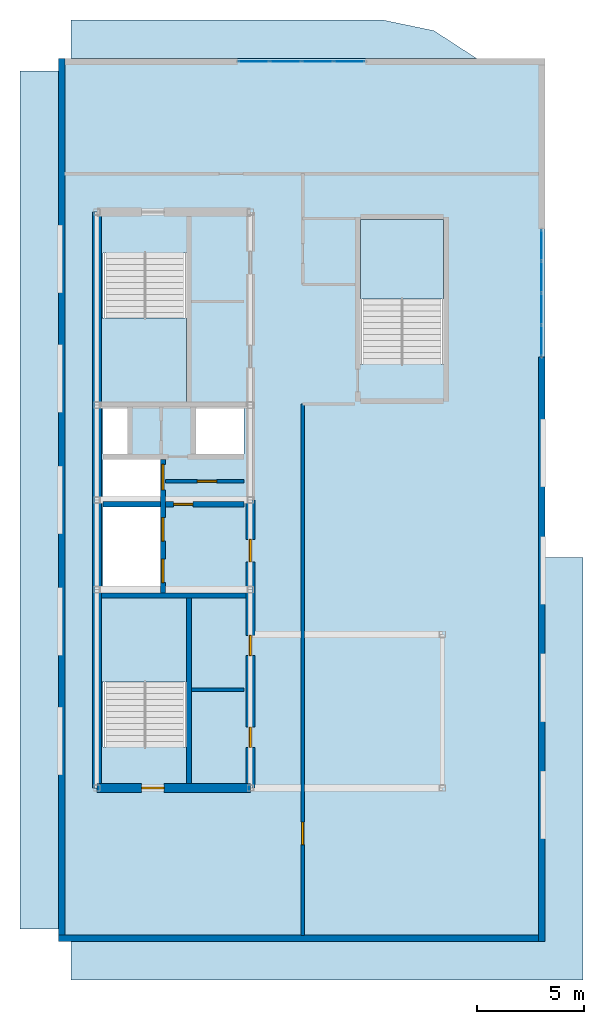
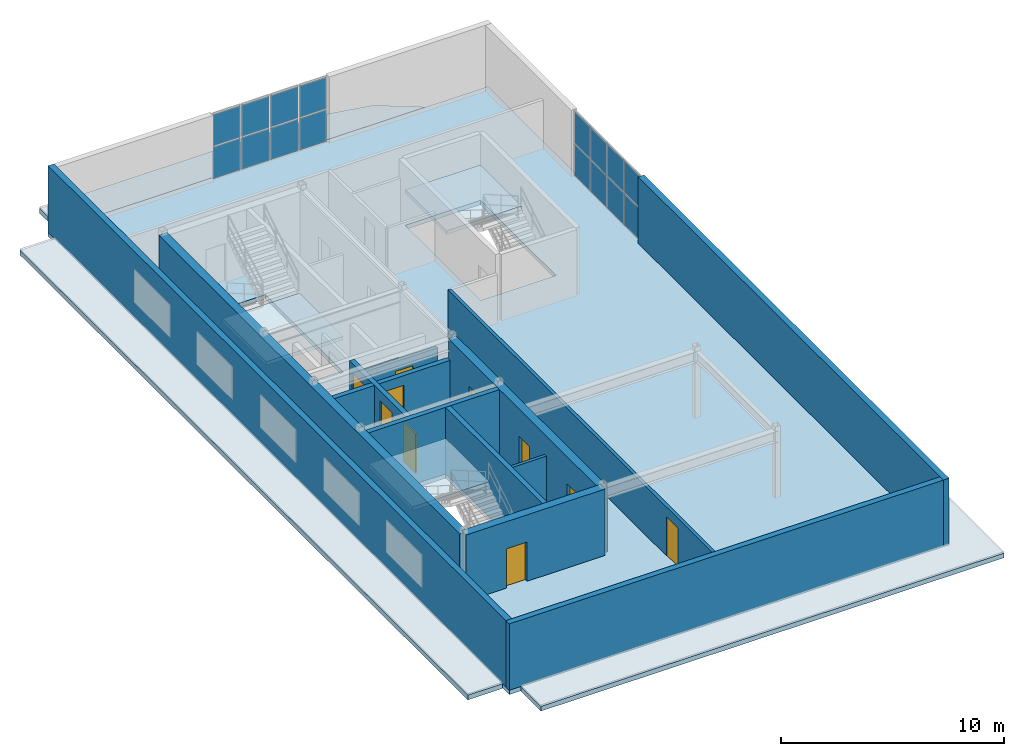
# One storey, part 5 of 9: 16 plates, 13 walls, 10 doors, 7 slabs, 10 openings, 5 elements without a shape of their own.
"""IFC4 building model written with IfcOpenShell, lengths in metres."""

from ifc_helpers import new_model, entity, si_unit, converted_unit, direction, frame, origin_with_axes, origin_2d_with_axis, place, context, subcontext, project, spatial, polyline, rectangle, outline, extrude, material, layer, layer_set, type_object, element, fill, aggregate, save


model = new_model("IFC4")

# Units and contexts
model_context = context("Model", 3, precision=1e-05, world=origin_with_axes(), true_north=direction((0.0, 1.0)))
body_context = subcontext(model_context, "Body", "Model", "MODEL_VIEW")
ifc_project = project(units=[si_unit("LENGTHUNIT", "METRE"), si_unit("AREAUNIT", "SQUARE_METRE"), si_unit("VOLUMEUNIT", "CUBIC_METRE"), converted_unit("PLANEANGLEUNIT", "DEGREE", entity("IfcPlaneAngleMeasure", 0.017453292519943295), si_unit("PLANEANGLEUNIT", "RADIAN"), dimensions=[0, 0, 0, 0, 0, 0, 0]), si_unit("MASSUNIT", "GRAM", prefix="KILO"), si_unit("THERMODYNAMICTEMPERATUREUNIT", "KELVIN")], contexts=[model_context])

# Site, building, storey
site_placement = place(None, origin_with_axes())
site = spatial("IfcSite", under=ifc_project, at=site_placement, CompositionType="ELEMENT")
building_placement = place(site_placement, origin_with_axes())
building = spatial("IfcBuilding", under=site, at=building_placement, Name="Varnlund Millrace Tower", CompositionType="ELEMENT")
storey_placement = place(building_placement, frame((0.0, 0.0, 308.7), z_axis=(0.0, 0.0, 1.0), x_axis=(1.0, 0.0, 0.0)))
storey = spatial("IfcBuildingStorey", under=building, at=storey_placement, Name="L76", CompositionType="ELEMENT", Elevation=308.7)

# Curtain wall, plates
ifc_material_1 = material(Name="Thermally broken architectural bronze curtain wall", Category="aluminium")
curtain_wall_type = type_object("IfcCurtainWallType", Name="Type-CW-Sys6-Observatory", PredefinedType="NOTDEFINED", material=ifc_material_1)
curtain_wall_1_placement = place(storey_placement, frame((32.25, 37.0, 0.0), z_axis=(0.0, 0.0, 1.0), x_axis=(1.0, 0.0, 0.0)))
curtain_wall_1 = element("IfcCurtainWall", 1, at=curtain_wall_1_placement, inside=storey, type_object=curtain_wall_type, Name="Type-CW-Sys6-Observatory", PredefinedType="NOTDEFINED")
ifc_material_2 = material(Name="Fritted low-e triple-glazed lantern curtain-wall unit", Category="glass")
ifc_layer_1 = layer(ifc_material_2, 0.032, Name="Fritted low-e triple-glazed lantern curtain-wall unit")
ifc_layer_set_1 = layer_set([ifc_layer_1], Name="Fritted low-e triple-glazed lantern curtain-wall unit")
plate_type = type_object("IfcPlateType", Name="Type-CW-Panel-Clerestory-32", PredefinedType="CURTAIN_PANEL", material=ifc_layer_set_1)
plate_1_placement = place(storey_placement, frame((32.25, 36.23375, 0.065), z_axis=(0.0, 0.0, 1.0), x_axis=(0.0, -1.0, 0.0)))
plate_1 = element("IfcPlate", 2, at=plate_1_placement, type_object=plate_type, Name="CW-06 panel 1.1", PredefinedType="CURTAIN_PANEL", context=body_context, shape_type="SweptSolid", body=[
    extrude(rectangle(XDim=1.4025, YDim=0.032, at=origin_2d_with_axis()), origin_with_axes(), (0.0, 0.0, 1.0), 1.7225),
])
plate_2_placement = place(storey_placement, frame((32.25, 36.23375, 1.8525), z_axis=(0.0, 0.0, 1.0), x_axis=(0.0, -1.0, 0.0)))
plate_2 = element("IfcPlate", 3, at=plate_2_placement, type_object=plate_type, Name="CW-06 panel 1.2", PredefinedType="CURTAIN_PANEL", context=body_context, shape_type="SweptSolid", body=[
    extrude(rectangle(XDim=1.4025, YDim=0.032, at=origin_2d_with_axis()), origin_with_axes(), (0.0, 0.0, 1.0), 1.7225),
])
plate_3_placement = place(storey_placement, frame((32.25, 34.75, 0.065), z_axis=(0.0, 0.0, 1.0), x_axis=(0.0, -1.0, 0.0)))
plate_3 = element("IfcPlate", 4, at=plate_3_placement, type_object=plate_type, Name="CW-06 panel 2.1", PredefinedType="CURTAIN_PANEL", context=body_context, shape_type="SweptSolid", body=[
    extrude(rectangle(XDim=1.435, YDim=0.032, at=origin_2d_with_axis()), origin_with_axes(), (0.0, 0.0, 1.0), 1.7225),
])
plate_4_placement = place(storey_placement, frame((32.25, 34.75, 1.8525), z_axis=(0.0, 0.0, 1.0), x_axis=(0.0, -1.0, 0.0)))
plate_4 = element("IfcPlate", 5, at=plate_4_placement, type_object=plate_type, Name="CW-06 panel 2.2", PredefinedType="CURTAIN_PANEL", context=body_context, shape_type="SweptSolid", body=[
    extrude(rectangle(XDim=1.435, YDim=0.032, at=origin_2d_with_axis()), origin_with_axes(), (0.0, 0.0, 1.0), 1.7225),
])
plate_5_placement = place(storey_placement, frame((32.25, 33.25, 0.065), z_axis=(0.0, 0.0, 1.0), x_axis=(0.0, -1.0, 0.0)))
plate_5 = element("IfcPlate", 6, at=plate_5_placement, type_object=plate_type, Name="CW-06 panel 3.1", PredefinedType="CURTAIN_PANEL", context=body_context, shape_type="SweptSolid", body=[
    extrude(rectangle(XDim=1.435, YDim=0.032, at=origin_2d_with_axis()), origin_with_axes(), (0.0, 0.0, 1.0), 1.7225),
])
plate_6_placement = place(storey_placement, frame((32.25, 33.25, 1.8525), z_axis=(0.0, 0.0, 1.0), x_axis=(0.0, -1.0, 0.0)))
plate_6 = element("IfcPlate", 7, at=plate_6_placement, type_object=plate_type, Name="CW-06 panel 3.2", PredefinedType="CURTAIN_PANEL", context=body_context, shape_type="SweptSolid", body=[
    extrude(rectangle(XDim=1.435, YDim=0.032, at=origin_2d_with_axis()), origin_with_axes(), (0.0, 0.0, 1.0), 1.7225),
])
plate_7_placement = place(storey_placement, frame((32.25, 31.76625, 0.065), z_axis=(0.0, 0.0, 1.0), x_axis=(0.0, -1.0, 0.0)))
plate_7 = element("IfcPlate", 8, at=plate_7_placement, type_object=plate_type, Name="CW-06 panel 4.1", PredefinedType="CURTAIN_PANEL", context=body_context, shape_type="SweptSolid", body=[
    extrude(rectangle(XDim=1.4025, YDim=0.032, at=origin_2d_with_axis()), origin_with_axes(), (0.0, 0.0, 1.0), 1.7225),
])
plate_8_placement = place(storey_placement, frame((32.25, 31.76625, 1.8525), z_axis=(0.0, 0.0, 1.0), x_axis=(0.0, -1.0, 0.0)))
plate_8 = element("IfcPlate", 9, at=plate_8_placement, type_object=plate_type, Name="CW-06 panel 4.2", PredefinedType="CURTAIN_PANEL", context=body_context, shape_type="SweptSolid", body=[
    extrude(rectangle(XDim=1.4025, YDim=0.032, at=origin_2d_with_axis()), origin_with_axes(), (0.0, 0.0, 1.0), 1.7225),
])
aggregate(curtain_wall_1, [plate_1, plate_2, plate_3, plate_4, plate_5, plate_6, plate_7, plate_8])

curtain_wall_2_placement = place(storey_placement, frame((18.0, 44.85, 0.0), z_axis=(0.0, 0.0, 1.0), x_axis=(1.0, 0.0, 0.0)))
curtain_wall_2 = element("IfcCurtainWall", 10, at=curtain_wall_2_placement, inside=storey, type_object=curtain_wall_type, Name="Type-CW-Sys6-Observatory", PredefinedType="NOTDEFINED")
plate_9_placement = place(storey_placement, frame((18.76625, 44.85, 0.065), z_axis=(0.0, 0.0, 1.0), x_axis=(1.0, 0.0, 0.0)))
plate_9 = element("IfcPlate", 11, at=plate_9_placement, type_object=plate_type, Name="CW-06 panel 1.1", PredefinedType="CURTAIN_PANEL", context=body_context, shape_type="SweptSolid", body=[
    extrude(rectangle(XDim=1.4025, YDim=0.032, at=origin_2d_with_axis()), origin_with_axes(), (0.0, 0.0, 1.0), 1.7225),
])
plate_10_placement = place(storey_placement, frame((18.76625, 44.85, 1.8525), z_axis=(0.0, 0.0, 1.0), x_axis=(1.0, 0.0, 0.0)))
plate_10 = element("IfcPlate", 12, at=plate_10_placement, type_object=plate_type, Name="CW-06 panel 1.2", PredefinedType="CURTAIN_PANEL", context=body_context, shape_type="SweptSolid", body=[
    extrude(rectangle(XDim=1.4025, YDim=0.032, at=origin_2d_with_axis()), origin_with_axes(), (0.0, 0.0, 1.0), 1.7225),
])
plate_11_placement = place(storey_placement, frame((20.25, 44.85, 0.065), z_axis=(0.0, 0.0, 1.0), x_axis=(1.0, 0.0, 0.0)))
plate_11 = element("IfcPlate", 13, at=plate_11_placement, type_object=plate_type, Name="CW-06 panel 2.1", PredefinedType="CURTAIN_PANEL", context=body_context, shape_type="SweptSolid", body=[
    extrude(rectangle(XDim=1.435, YDim=0.032, at=origin_2d_with_axis()), origin_with_axes(), (0.0, 0.0, 1.0), 1.7225),
])
plate_12_placement = place(storey_placement, frame((20.25, 44.85, 1.8525), z_axis=(0.0, 0.0, 1.0), x_axis=(1.0, 0.0, 0.0)))
plate_12 = element("IfcPlate", 14, at=plate_12_placement, type_object=plate_type, Name="CW-06 panel 2.2", PredefinedType="CURTAIN_PANEL", context=body_context, shape_type="SweptSolid", body=[
    extrude(rectangle(XDim=1.435, YDim=0.032, at=origin_2d_with_axis()), origin_with_axes(), (0.0, 0.0, 1.0), 1.7225),
])
plate_13_placement = place(storey_placement, frame((21.75, 44.85, 0.065), z_axis=(0.0, 0.0, 1.0), x_axis=(1.0, 0.0, 0.0)))
plate_13 = element("IfcPlate", 15, at=plate_13_placement, type_object=plate_type, Name="CW-06 panel 3.1", PredefinedType="CURTAIN_PANEL", context=body_context, shape_type="SweptSolid", body=[
    extrude(rectangle(XDim=1.435, YDim=0.032, at=origin_2d_with_axis()), origin_with_axes(), (0.0, 0.0, 1.0), 1.7225),
])
plate_14_placement = place(storey_placement, frame((21.75, 44.85, 1.8525), z_axis=(0.0, 0.0, 1.0), x_axis=(1.0, 0.0, 0.0)))
plate_14 = element("IfcPlate", 16, at=plate_14_placement, type_object=plate_type, Name="CW-06 panel 3.2", PredefinedType="CURTAIN_PANEL", context=body_context, shape_type="SweptSolid", body=[
    extrude(rectangle(XDim=1.435, YDim=0.032, at=origin_2d_with_axis()), origin_with_axes(), (0.0, 0.0, 1.0), 1.7225),
])
plate_15_placement = place(storey_placement, frame((23.23375, 44.85, 0.065), z_axis=(0.0, 0.0, 1.0), x_axis=(1.0, 0.0, 0.0)))
plate_15 = element("IfcPlate", 17, at=plate_15_placement, type_object=plate_type, Name="CW-06 panel 4.1", PredefinedType="CURTAIN_PANEL", context=body_context, shape_type="SweptSolid", body=[
    extrude(rectangle(XDim=1.4025, YDim=0.032, at=origin_2d_with_axis()), origin_with_axes(), (0.0, 0.0, 1.0), 1.7225),
])
plate_16_placement = place(storey_placement, frame((23.23375, 44.85, 1.8525), z_axis=(0.0, 0.0, 1.0), x_axis=(1.0, 0.0, 0.0)))
plate_16 = element("IfcPlate", 18, at=plate_16_placement, type_object=plate_type, Name="CW-06 panel 4.2", PredefinedType="CURTAIN_PANEL", context=body_context, shape_type="SweptSolid", body=[
    extrude(rectangle(XDim=1.4025, YDim=0.032, at=origin_2d_with_axis()), origin_with_axes(), (0.0, 0.0, 1.0), 1.7225),
])
aggregate(curtain_wall_2, [plate_9, plate_10, plate_11, plate_12, plate_13, plate_14, plate_15, plate_16])

# Slabs
ifc_material_3 = material(Name="Concrete C50/60", Category="concrete")
ifc_layer_2 = layer(ifc_material_3, 0.26, Name="Concrete C50/60")
ifc_layer_set_2 = layer_set([ifc_layer_2], Name="Concrete C50/60")
slab_type_1 = type_object("IfcSlabType", Name="Type-Cap-Deck-Crown-260", PredefinedType="ROOF", material=ifc_layer_set_2)
slab_1_placement = place(storey_placement, frame((0.0, 0.0, -0.26), z_axis=(0.0, 0.0, 1.0), x_axis=(1.0, 0.0, 0.0)))
element("IfcSlab", 19, at=slab_1_placement, inside=storey, type_object=slab_type_1, Name="Type-Cap-Deck-Crown-260", PredefinedType="ROOF", context=body_context, shape_type="SweptSolid", body=[
    extrude(outline(polyline([(34.2, 21.6), (32.4, 21.6), (32.4, 3.6), (10.2, 3.6), (10.2, 1.8), (34.2, 1.8), (34.2, 21.6)])), origin_with_axes(), (0.0, 0.0, 1.0), 0.26),
])
slab_2_placement = place(storey_placement, frame((0.0, 0.0, -0.26), z_axis=(0.0, 0.0, 1.0), x_axis=(1.0, 0.0, 0.0)))
element("IfcSlab", 20, at=slab_2_placement, inside=storey, type_object=slab_type_1, Name="Type-Cap-Deck-Crown-260", PredefinedType="ROOF", context=body_context, shape_type="SweptSolid", body=[
    extrude(outline(polyline([(9.6, 4.2), (9.6, 44.4), (7.8, 44.4), (7.8, 4.2), (9.6, 4.2)])), origin_with_axes(), (0.0, 0.0, 1.0), 0.26),
])
slab_3_placement = place(storey_placement, frame((0.0, 0.0, -0.26), z_axis=(0.0, 0.0, 1.0), x_axis=(1.0, 0.0, 0.0)))
element("IfcSlab", 21, at=slab_3_placement, inside=storey, type_object=slab_type_1, Name="Type-Cap-Deck-Crown-260", PredefinedType="ROOF", context=body_context, shape_type="SweptSolid", body=[
    extrude(outline(polyline([(10.2, 45.0), (29.2, 45.0), (27.2, 46.3), (24.8, 46.8), (10.2, 46.8), (10.2, 45.0)])), origin_with_axes(), (0.0, 0.0, 1.0), 0.26),
])
ifc_material_4 = material(Name="Concrete C60/75", Category="concrete")
ifc_layer_3 = layer(ifc_material_4, 0.24, Name="Concrete C60/75")
ifc_layer_set_3 = layer_set([ifc_layer_3], Name="Concrete C60/75")
slab_type_2 = type_object("IfcSlabType", Name="Type-Deck-Plate-Typical-240", PredefinedType="FLOOR", material=ifc_layer_set_3)
slab_4_placement = place(storey_placement, frame((0.0, 0.0, -0.24), z_axis=(0.0, 0.0, 1.0), x_axis=(1.0, 0.0, 0.0)))
element("IfcSlab", 22, at=slab_4_placement, inside=storey, type_object=slab_type_2, Name="Type-Deck-Plate-Typical-240", PredefinedType="FLOOR", context=body_context, shape_type="SweptSolid", body=[
    extrude(outline(polyline([(32.4, 3.6), (32.4, 45.0), (9.6, 45.0), (9.6, 3.6), (32.4, 3.6)]), holes=[polyline([(15.6, 19.7), (15.6, 12.715), (11.7, 12.715), (11.7, 19.7), (15.6, 19.7)]), polyline([(11.7, 23.98), (14.38, 23.98), (14.38, 19.94), (11.7, 19.94), (11.7, 23.98)]), polyline([(14.38, 26.2), (14.38, 24.24), (11.7, 24.24), (11.7, 26.2), (14.38, 26.2)]), polyline([(12.84, 28.65), (12.84, 26.46), (11.7, 26.46), (11.7, 28.65), (12.84, 28.65)]), polyline([(18.3, 28.65), (18.3, 26.46), (16.04, 26.46), (16.04, 28.65), (18.3, 28.65)]), polyline([(15.6, 35.885), (15.6, 28.9), (11.7, 28.9), (11.7, 35.885), (15.6, 35.885)]), polyline([(27.65, 37.45), (27.65, 30.665), (23.75, 30.665), (23.75, 37.45), (27.65, 37.45)])]), origin_with_axes(), (0.0, 0.0, 1.0), 0.24),
])

# Stair, slab
stair_type = type_object("IfcStairType", Name="Type-Stair-Dogleg-185-390", PredefinedType="HALF_TURN_STAIR", material=ifc_material_3)
stair_1_placement = place(storey_placement, origin_with_axes())
stair_1 = element("IfcStair", 23, at=stair_1_placement, inside=storey, type_object=stair_type, Name="Type-Stair-Dogleg-185-390", PredefinedType="HALF_TURN_STAIR")
ifc_layer_4 = layer(ifc_material_3, 0.2, Name="Concrete C50/60")
ifc_layer_set_4 = layer_set([ifc_layer_4], Name="Concrete C50/60")
slab_type_3 = type_object("IfcSlabType", Name="Type-StairLanding-200", PredefinedType="LANDING", material=ifc_layer_set_4)
slab_5_placement = place(storey_placement, frame((0.0, 0.0, 1.75), z_axis=(0.0, 0.0, 1.0), x_axis=(1.0, 0.0, 0.0)))
slab_5 = element("IfcSlab", 24, at=slab_5_placement, type_object=slab_type_3, Name="ST-A1 landing 1", PredefinedType="LANDING", context=body_context, shape_type="SweptSolid", body=[
    extrude(outline(polyline([(15.6, 15.78), (15.6, 19.7), (11.61, 19.7), (11.61, 15.78), (15.6, 15.78)])), origin_with_axes(), (0.0, 0.0, 1.0), 0.2),
])
aggregate(stair_1, [slab_5])

stair_2_placement = place(storey_placement, origin_with_axes())
stair_2 = element("IfcStair", 25, at=stair_2_placement, inside=storey, type_object=stair_type, Name="Type-Stair-Dogleg-185-390", PredefinedType="HALF_TURN_STAIR")
slab_6_placement = place(storey_placement, frame((0.0, 0.0, 1.75), z_axis=(0.0, 0.0, 1.0), x_axis=(1.0, 0.0, 0.0)))
slab_6 = element("IfcSlab", 26, at=slab_6_placement, type_object=slab_type_3, Name="ST-A2 landing 1", PredefinedType="LANDING", context=body_context, shape_type="SweptSolid", body=[
    extrude(outline(polyline([(11.61, 32.82), (11.61, 28.9), (15.6, 28.9), (15.6, 32.82), (11.61, 32.82)])), origin_with_axes(), (0.0, 0.0, 1.0), 0.2),
])
aggregate(stair_2, [slab_6])

stair_3_placement = place(storey_placement, origin_with_axes())
stair_3 = element("IfcStair", 27, at=stair_3_placement, inside=storey, type_object=stair_type, Name="Type-Stair-Dogleg-185-390", PredefinedType="HALF_TURN_STAIR")
slab_7_placement = place(storey_placement, frame((0.0, 0.0, 1.75), z_axis=(0.0, 0.0, 1.0), x_axis=(1.0, 0.0, 0.0)))
slab_7 = element("IfcSlab", 28, at=slab_7_placement, type_object=slab_type_3, Name="ST-A3 landing 1", PredefinedType="LANDING", context=body_context, shape_type="SweptSolid", body=[
    extrude(outline(polyline([(27.65, 33.73), (27.65, 37.45), (23.75, 37.45), (23.75, 33.73), (27.65, 33.73)])), origin_with_axes(), (0.0, 0.0, 1.0), 0.2),
])
aggregate(stair_3, [slab_7])

# Wall
ifc_layer_5 = layer(ifc_material_4, 0.42, Name="Concrete C60/75")
ifc_layer_set_5 = layer_set([ifc_layer_5], Name="Concrete C60/75")
wall_type_1 = type_object("IfcWallType", Name="Type-CoreWall-Shear-420-C60", PredefinedType="SHEAR", material=ifc_layer_set_5)
wall_1_placement = place(storey_placement, frame((11.4, 10.8, 0.0), z_axis=(0.0, 0.0, 1.0), x_axis=(0.0, 1.0, 0.0)))
element("IfcWall", 29, at=wall_1_placement, inside=storey, type_object=wall_type_1, Name="Type-CoreWall-Shear-420-C60", PredefinedType="SHEAR", context=body_context, shape_type="SweptSolid", body=[
    extrude(outline(polyline([(0.0, -0.21), (27.0, -0.21), (27.0, 0.21), (0.0, 0.21), (0.0, -0.21)])), origin_with_axes(), (0.0, 0.0, 1.0), 3.64),
])

# Wall, opening, door
wall_2_placement = place(storey_placement, frame((11.4, 10.8, 0.0), z_axis=(0.0, 0.0, 1.0), x_axis=(1.0, 0.0, 0.0)))
wall_2 = element("IfcWall", 30, at=wall_2_placement, inside=storey, type_object=wall_type_1, Name="Type-CoreWall-Shear-420-C60", PredefinedType="SHEAR", context=body_context, shape_type="SweptSolid", body=[
    extrude(outline(polyline([(0.0, -0.21), (7.2, -0.21), (7.2, 0.21), (0.0, 0.21), (0.0, -0.21)])), origin_with_axes(), (0.0, 0.0, 1.0), 3.64),
])
opening_1_placement = place(wall_2_placement, frame((2.625, 0.0, 0.0), z_axis=(0.0, 0.0, 1.0), x_axis=(1.0, 0.0, 0.0)))
opening_1 = element("IfcOpeningElement", 31, at=opening_1_placement, cuts=wall_2, Name="Opening L76:DR-STA1", PredefinedType="OPENING", context=body_context, shape_type="SweptSolid", body=[
    extrude(rectangle(XDim=1.05, YDim=0.44, at=origin_2d_with_axis()), origin_with_axes(), (0.0, 0.0, 1.0), 2.15),
])
ifc_material_5 = material(Name="Fire-rated hollow steel door", Category="steel")
door_type_1 = type_object("IfcDoorType", Name="Type-FireDoor-Stair-1050X2150", OperationType="NOTDEFINED", PredefinedType="DOOR", material=ifc_material_5)
door_1_placement = place(wall_2_placement, frame((2.625, 0.0, 0.0), z_axis=(0.0, 0.0, 1.0), x_axis=(1.0, 0.0, 0.0)))
door_1 = element("IfcDoor", 32, at=door_1_placement, inside=storey, type_object=door_type_1, Name="Type-FireDoor-Stair-1050X2150", OperationType="SINGLE_SWING_LEFT", OverallHeight=2.15, OverallWidth=1.05, PredefinedType="DOOR", context=body_context, shape_type="SweptSolid", body=[
    extrude(rectangle(XDim=1.05, YDim=0.09, at=origin_2d_with_axis()), origin_with_axes(), (0.0, 0.0, 1.0), 2.15),
])
fill(opening_1, door_1)

# Wall, openings, doors
wall_3_placement = place(storey_placement, frame((18.6, 10.8, 0.0), z_axis=(0.0, 0.0, 1.0), x_axis=(0.0, 1.0, 0.0)))
wall_3 = element("IfcWall", 33, at=wall_3_placement, inside=storey, type_object=wall_type_1, Name="Type-CoreWall-Shear-420-C60", PredefinedType="SHEAR", context=body_context, shape_type="SweptSolid", body=[
    extrude(outline(polyline([(0.0, -0.21), (13.5, -0.21), (13.5, 0.21), (0.0, 0.21), (0.0, -0.21)])), origin_with_axes(), (0.0, 0.0, 1.0), 3.64),
])
opening_2_placement = place(wall_3_placement, frame((11.125, 0.0, 0.0), z_axis=(0.0, 0.0, 1.0), x_axis=(1.0, 0.0, 0.0)))
opening_2 = element("IfcOpeningElement", 34, at=opening_2_placement, cuts=wall_3, Name="Opening L76:DR-FFLOB-A", PredefinedType="OPENING", context=body_context, shape_type="SweptSolid", body=[
    extrude(rectangle(XDim=1.05, YDim=0.44, at=origin_2d_with_axis()), origin_with_axes(), (0.0, 0.0, 1.0), 2.15),
])
opening_3_placement = place(wall_3_placement, frame((2.375, 0.0, 0.0), z_axis=(0.0, 0.0, 1.0), x_axis=(1.0, 0.0, 0.0)))
opening_3 = element("IfcOpeningElement", 35, at=opening_3_placement, cuts=wall_3, Name="Opening L76:DR-CRN-C1", PredefinedType="OPENING", context=body_context, shape_type="SweptSolid", body=[
    extrude(rectangle(XDim=0.95, YDim=0.44, at=origin_2d_with_axis()), origin_with_axes(), (0.0, 0.0, 1.0), 2.15),
])
opening_4_placement = place(wall_3_placement, frame((6.675, 0.0, 0.0), z_axis=(0.0, 0.0, 1.0), x_axis=(1.0, 0.0, 0.0)))
opening_4 = element("IfcOpeningElement", 36, at=opening_4_placement, cuts=wall_3, Name="Opening L76:DR-CRN-C2", PredefinedType="OPENING", context=body_context, shape_type="SweptSolid", body=[
    extrude(rectangle(XDim=0.95, YDim=0.44, at=origin_2d_with_axis()), origin_with_axes(), (0.0, 0.0, 1.0), 2.15),
])
ifc_material_6 = material(Name="Smoke-barrier hollow steel fire door", Category="steel")
door_type_2 = type_object("IfcDoorType", Name="Type-FireDoor-Lobby-1050X2150", OperationType="NOTDEFINED", PredefinedType="DOOR", material=ifc_material_6)
door_2_placement = place(wall_3_placement, frame((11.125, 0.0, 0.0), z_axis=(0.0, 0.0, 1.0), x_axis=(1.0, 0.0, 0.0)))
door_2 = element("IfcDoor", 37, at=door_2_placement, inside=storey, type_object=door_type_2, Name="Type-FireDoor-Lobby-1050X2150", OperationType="SINGLE_SWING_LEFT", OverallHeight=2.15, OverallWidth=1.05, PredefinedType="DOOR", context=body_context, shape_type="SweptSolid", body=[
    extrude(rectangle(XDim=1.05, YDim=0.09, at=origin_2d_with_axis()), origin_with_axes(), (0.0, 0.0, 1.0), 2.15),
])
fill(opening_2, door_2)
ifc_material_7 = material(Name="Fire-rated hollow steel core service door", Category="steel")
door_type_3 = type_object("IfcDoorType", Name="Type-FireDoor-Service-950X2150", OperationType="NOTDEFINED", PredefinedType="DOOR", material=ifc_material_7)
door_3_placement = place(wall_3_placement, frame((2.375, 0.0, 0.0), z_axis=(0.0, 0.0, 1.0), x_axis=(1.0, 0.0, 0.0)))
door_3 = element("IfcDoor", 38, at=door_3_placement, inside=storey, type_object=door_type_3, Name="Type-FireDoor-Service-950X2150", OperationType="SINGLE_SWING_LEFT", OverallHeight=2.15, OverallWidth=0.95, PredefinedType="DOOR", context=body_context, shape_type="SweptSolid", body=[
    extrude(rectangle(XDim=0.95, YDim=0.09, at=origin_2d_with_axis()), origin_with_axes(), (0.0, 0.0, 1.0), 2.15),
])
fill(opening_3, door_3)
door_4_placement = place(wall_3_placement, frame((6.675, 0.0, 0.0), z_axis=(0.0, 0.0, 1.0), x_axis=(1.0, 0.0, 0.0)))
door_4 = element("IfcDoor", 39, at=door_4_placement, inside=storey, type_object=door_type_3, Name="Type-FireDoor-Service-950X2150", OperationType="SINGLE_SWING_RIGHT", OverallHeight=2.15, OverallWidth=0.95, PredefinedType="DOOR", context=body_context, shape_type="SweptSolid", body=[
    extrude(rectangle(XDim=0.95, YDim=0.09, at=origin_2d_with_axis()), origin_with_axes(), (0.0, 0.0, 1.0), 2.15),
])
fill(opening_4, door_4)

# Walls
ifc_material_8 = material(Name="Precast concrete C50/60", Category="concrete")
ifc_layer_6 = layer(ifc_material_8, 0.3, Name="Precast concrete C50/60")
ifc_layer_set_6 = layer_set([ifc_layer_6], Name="Precast concrete C50/60")
wall_type_2 = type_object("IfcWallType", Name="Type-ExtWall-Precast-Crown-300", PredefinedType="SOLIDWALL", material=ifc_layer_set_6)
wall_4_placement = place(storey_placement, frame((9.75, 3.9, 0.0), z_axis=(0.0, 0.0, 1.0), x_axis=(0.0, 1.0, 0.0)))
element("IfcWall", 40, at=wall_4_placement, inside=storey, type_object=wall_type_2, Name="Type-ExtWall-Precast-Crown-300", PredefinedType="SOLIDWALL", context=body_context, shape_type="SweptSolid", body=[
    extrude(outline(polyline([(0.0, -0.15), (41.1, -0.15), (41.1, 0.15), (0.0, 0.15), (0.0, -0.15)])), origin_with_axes(), (0.0, 0.0, 1.0), 3.64),
])
wall_5_placement = place(storey_placement, frame((32.25, 31.0, 0.0), z_axis=(0.0, 0.0, 1.0), x_axis=(0.0, -1.0, 0.0)))
element("IfcWall", 41, at=wall_5_placement, inside=storey, type_object=wall_type_2, Name="Type-ExtWall-Precast-Crown-300", PredefinedType="SOLIDWALL", context=body_context, shape_type="SweptSolid", body=[
    extrude(outline(polyline([(0.0, -0.15), (27.4, -0.15), (27.4, 0.15), (0.0, 0.15), (0.0, -0.15)])), origin_with_axes(), (0.0, 0.0, 1.0), 3.64),
])
wall_6_placement = place(storey_placement, frame((32.1, 3.75, 0.0), z_axis=(0.0, 0.0, 1.0), x_axis=(-1.0, 0.0, 0.0)))
element("IfcWall", 42, at=wall_6_placement, inside=storey, type_object=wall_type_2, Name="Type-ExtWall-Precast-Crown-300", PredefinedType="SOLIDWALL", context=body_context, shape_type="SweptSolid", body=[
    extrude(outline(polyline([(0.0, -0.15), (22.5, -0.15), (22.5, 0.15), (0.0, 0.15), (0.0, -0.15)])), origin_with_axes(), (0.0, 0.0, 1.0), 3.64),
])

# Wall, opening, door
ifc_material_9 = material(Name="Fire-rated gypsum board on cold-formed steel framing", Category="steel")
ifc_layer_7 = layer(ifc_material_9, 0.16, Name="Fire-rated gypsum board on cold-formed steel framing")
ifc_layer_set_7 = layer_set([ifc_layer_7], Name="Fire-rated gypsum board on cold-formed steel framing")
wall_type_3 = type_object("IfcWallType", Name="Type-Partition-Corridor-160", PredefinedType="PARTITIONING", material=ifc_layer_set_7)
wall_7_placement = place(storey_placement, frame((14.62, 25.18, 0.0), z_axis=(0.0, 0.0, 1.0), x_axis=(1.0, 0.0, 0.0)))
wall_7 = element("IfcWall", 43, at=wall_7_placement, inside=storey, type_object=wall_type_3, Name="Type-Partition-Corridor-160", PredefinedType="PARTITIONING", context=body_context, shape_type="SweptSolid", body=[
    extrude(outline(polyline([(0.0, -0.08), (3.68, -0.08), (3.68, 0.08), (0.0, 0.08), (0.0, -0.08)])), origin_with_axes(), (0.0, 0.0, 1.0), 2.68),
])
opening_5_placement = place(wall_7_placement, frame((1.95, 0.0, 0.0), z_axis=(0.0, 0.0, 1.0), x_axis=(1.0, 0.0, 0.0)))
opening_5 = element("IfcOpeningElement", 44, at=opening_5_placement, cuts=wall_7, Name="Opening L76:DR-CA-SUB2", PredefinedType="OPENING", context=body_context, shape_type="SweptSolid", body=[
    extrude(rectangle(XDim=0.9, YDim=0.18, at=origin_2d_with_axis()), origin_with_axes(), (0.0, 0.0, 1.0), 2.15),
])
ifc_material_10 = material(Name="Painted steel riser and closet door", Category="steel")
door_type_4 = type_object("IfcDoorType", Name="Type-IntDoor-Closet-900X2150", OperationType="NOTDEFINED", PredefinedType="DOOR", material=ifc_material_10)
door_5_placement = place(wall_7_placement, frame((1.95, 0.0, 0.0), z_axis=(0.0, 0.0, 1.0), x_axis=(1.0, 0.0, 0.0)))
door_5 = element("IfcDoor", 45, at=door_5_placement, inside=storey, type_object=door_type_4, Name="Type-IntDoor-Closet-900X2150", OperationType="SINGLE_SWING_LEFT", OverallHeight=2.15, OverallWidth=0.9, PredefinedType="DOOR", context=body_context, shape_type="SweptSolid", body=[
    extrude(rectangle(XDim=0.9, YDim=0.09, at=origin_2d_with_axis()), origin_with_axes(), (0.0, 0.0, 1.0), 2.15),
])
fill(opening_5, door_5)

# Wall
wall_8_placement = place(storey_placement, frame((15.84, 15.4, 0.0), z_axis=(0.0, 0.0, 1.0), x_axis=(1.0, 0.0, 0.0)))
element("IfcWall", 46, at=wall_8_placement, inside=storey, type_object=wall_type_3, Name="Type-Partition-Corridor-160", PredefinedType="PARTITIONING", context=body_context, shape_type="SweptSolid", body=[
    extrude(outline(polyline([(0.0, -0.08), (2.46, -0.08), (2.46, 0.08), (0.0, 0.08), (0.0, -0.08)])), origin_with_axes(), (0.0, 0.0, 1.0), 2.68),
])

# Wall, opening, door
wall_9_placement = place(storey_placement, frame((21.05, 3.895, 0.0), z_axis=(0.0, 0.0, 1.0), x_axis=(0.0, 1.0, 0.0)))
wall_9 = element("IfcWall", 47, at=wall_9_placement, inside=storey, type_object=wall_type_3, Name="Type-Partition-Corridor-160", PredefinedType="PARTITIONING", context=body_context, shape_type="SweptSolid", body=[
    extrude(outline(polyline([(0.0, -0.08), (24.905, -0.08), (24.905, 0.08), (0.0, 0.08), (0.0, -0.08)])), origin_with_axes(), (0.0, 0.0, 1.0), 2.68),
])
opening_6_placement = place(wall_9_placement, frame((4.78, 0.0, 0.0), z_axis=(0.0, 0.0, 1.0), x_axis=(1.0, 0.0, 0.0)))
opening_6 = element("IfcOpeningElement", 48, at=opening_6_placement, cuts=wall_9, Name="Opening L76:DR-CRN-PLT", PredefinedType="OPENING", context=body_context, shape_type="SweptSolid", body=[
    extrude(rectangle(XDim=1.05, YDim=0.18, at=origin_2d_with_axis()), origin_with_axes(), (0.0, 0.0, 1.0), 2.15),
])
door_6_placement = place(wall_9_placement, frame((4.78, 0.0, 0.0), z_axis=(0.0, 0.0, 1.0), x_axis=(1.0, 0.0, 0.0)))
door_6 = element("IfcDoor", 49, at=door_6_placement, inside=storey, type_object=door_type_2, Name="Type-FireDoor-Lobby-1050X2150", OperationType="SINGLE_SWING_LEFT", OverallHeight=2.15, OverallWidth=1.05, PredefinedType="DOOR", context=body_context, shape_type="SweptSolid", body=[
    extrude(rectangle(XDim=1.05, YDim=0.09, at=origin_2d_with_axis()), origin_with_axes(), (0.0, 0.0, 1.0), 2.15),
])
fill(opening_6, door_6)

# Wall, openings, doors
ifc_layer_8 = layer(ifc_material_4, 0.25, Name="Concrete C60/75")
ifc_layer_set_8 = layer_set([ifc_layer_8], Name="Concrete C60/75")
wall_type_4 = type_object("IfcWallType", Name="Type-ShaftWall-Fire-250", PredefinedType="SOLIDWALL", material=ifc_layer_set_8)
wall_10_placement = place(storey_placement, frame((14.5, 19.95, 0.0), z_axis=(0.0, 0.0, 1.0), x_axis=(0.0, 1.0, 0.0)))
wall_10 = element("IfcWall", 50, at=wall_10_placement, inside=storey, type_object=wall_type_4, Name="Type-ShaftWall-Fire-250", PredefinedType="SOLIDWALL", context=body_context, shape_type="SweptSolid", body=[
    extrude(outline(polyline([(0.0, -0.125), (6.25, -0.125), (6.25, 0.125), (0.0, 0.125), (0.0, -0.125)])), origin_with_axes(), (0.0, 0.0, 1.0), 2.68),
])
opening_7_placement = place(wall_10_placement, frame((1.025, 0.0, 0.0), z_axis=(0.0, 0.0, 1.0), x_axis=(1.0, 0.0, 0.0)))
opening_7 = element("IfcOpeningElement", 51, at=opening_7_placement, cuts=wall_10, Name="Opening L76:LD-FSAE1", PredefinedType="OPENING", context=body_context, shape_type="SweptSolid", body=[
    extrude(rectangle(XDim=1.1, YDim=0.27, at=origin_2d_with_axis()), origin_with_axes(), (0.0, 0.0, 1.0), 2.15),
])
opening_8_placement = place(wall_10_placement, frame((2.975, 0.0, 0.0), z_axis=(0.0, 0.0, 1.0), x_axis=(1.0, 0.0, 0.0)))
opening_8 = element("IfcOpeningElement", 52, at=opening_8_placement, cuts=wall_10, Name="Opening L76:LD-FSAE2", PredefinedType="OPENING", context=body_context, shape_type="SweptSolid", body=[
    extrude(rectangle(XDim=1.1, YDim=0.27, at=origin_2d_with_axis()), origin_with_axes(), (0.0, 0.0, 1.0), 2.15),
])
opening_9_placement = place(wall_10_placement, frame((5.425, 0.0, 0.0), z_axis=(0.0, 0.0, 1.0), x_axis=(1.0, 0.0, 0.0)))
opening_9 = element("IfcOpeningElement", 53, at=opening_9_placement, cuts=wall_10, Name="Opening L76:LD-SRV1", PredefinedType="OPENING", context=body_context, shape_type="SweptSolid", body=[
    extrude(rectangle(XDim=1.2, YDim=0.27, at=origin_2d_with_axis()), origin_with_axes(), (0.0, 0.0, 1.0), 2.15),
])
ifc_material_11 = material(Name="Stainless and architectural bronze sliding landing door")
door_type_5 = type_object("IfcDoorType", Name="Type-LiftLandingDoor-1100X2150", OperationType="NOTDEFINED", PredefinedType="DOOR", material=ifc_material_11)
door_7_placement = place(wall_10_placement, frame((1.025, 0.0, 0.0), z_axis=(0.0, 0.0, 1.0), x_axis=(1.0, 0.0, 0.0)))
door_7 = element("IfcDoor", 54, at=door_7_placement, inside=storey, type_object=door_type_5, Name="Type-LiftLandingDoor-1100X2150", OperationType="SLIDING_TO_LEFT", OverallHeight=2.15, OverallWidth=1.1, PredefinedType="DOOR", context=body_context, shape_type="SweptSolid", body=[
    extrude(rectangle(XDim=1.1, YDim=0.09, at=origin_2d_with_axis()), origin_with_axes(), (0.0, 0.0, 1.0), 2.15),
])
fill(opening_7, door_7)
door_8_placement = place(wall_10_placement, frame((2.975, 0.0, 0.0), z_axis=(0.0, 0.0, 1.0), x_axis=(1.0, 0.0, 0.0)))
door_8 = element("IfcDoor", 55, at=door_8_placement, inside=storey, type_object=door_type_5, Name="Type-LiftLandingDoor-1100X2150", OperationType="SLIDING_TO_RIGHT", OverallHeight=2.15, OverallWidth=1.1, PredefinedType="DOOR", context=body_context, shape_type="SweptSolid", body=[
    extrude(rectangle(XDim=1.1, YDim=0.09, at=origin_2d_with_axis()), origin_with_axes(), (0.0, 0.0, 1.0), 2.15),
])
fill(opening_8, door_8)
ifc_material_12 = material(Name="Heavy-duty freight sliding landing door")
door_type_6 = type_object("IfcDoorType", Name="Type-LiftLandingDoor-Service-1200X2150", OperationType="NOTDEFINED", PredefinedType="DOOR", material=ifc_material_12)
door_9_placement = place(wall_10_placement, frame((5.425, 0.0, 0.0), z_axis=(0.0, 0.0, 1.0), x_axis=(1.0, 0.0, 0.0)))
door_9 = element("IfcDoor", 56, at=door_9_placement, inside=storey, type_object=door_type_6, Name="Type-LiftLandingDoor-Service-1200X2150", OperationType="DOUBLE_DOOR_SLIDING", OverallHeight=2.15, OverallWidth=1.2, PredefinedType="DOOR", context=body_context, shape_type="SweptSolid", body=[
    extrude(rectangle(XDim=1.2, YDim=0.09, at=origin_2d_with_axis()), origin_with_axes(), (0.0, 0.0, 1.0), 2.15),
])
fill(opening_9, door_9)

# Wall, opening, door
wall_11_placement = place(storey_placement, frame((11.7, 24.1, 0.0), z_axis=(0.0, 0.0, 1.0), x_axis=(1.0, 0.0, 0.0)))
wall_11 = element("IfcWall", 57, at=wall_11_placement, inside=storey, type_object=wall_type_4, Name="Type-ShaftWall-Fire-250", PredefinedType="SOLIDWALL", context=body_context, shape_type="SweptSolid", body=[
    extrude(outline(polyline([(0.0, -0.125), (6.6, -0.125), (6.6, 0.125), (0.0, 0.125), (0.0, -0.125)])), origin_with_axes(), (0.0, 0.0, 1.0), 2.68),
])
opening_10_placement = place(wall_11_placement, frame((3.75, 0.0, 0.0), z_axis=(0.0, 0.0, 1.0), x_axis=(1.0, 0.0, 0.0)))
opening_10 = element("IfcOpeningElement", 58, at=opening_10_placement, cuts=wall_11, Name="Opening L76:DR-CA-SUB1", PredefinedType="OPENING", context=body_context, shape_type="SweptSolid", body=[
    extrude(rectangle(XDim=0.9, YDim=0.27, at=origin_2d_with_axis()), origin_with_axes(), (0.0, 0.0, 1.0), 2.15),
])
ifc_material_13 = material(Name="Fire-rated hollow steel service closet door", Category="steel")
door_type_7 = type_object("IfcDoorType", Name="Type-FireDoor-Closet-900X2150", OperationType="NOTDEFINED", PredefinedType="DOOR", material=ifc_material_13)
door_10_placement = place(wall_11_placement, frame((3.75, 0.0, 0.0), z_axis=(0.0, 0.0, 1.0), x_axis=(1.0, 0.0, 0.0)))
door_10 = element("IfcDoor", 59, at=door_10_placement, inside=storey, type_object=door_type_7, Name="Type-FireDoor-Closet-900X2150", OperationType="SINGLE_SWING_LEFT", OverallHeight=2.15, OverallWidth=0.9, PredefinedType="DOOR", context=body_context, shape_type="SweptSolid", body=[
    extrude(rectangle(XDim=0.9, YDim=0.09, at=origin_2d_with_axis()), origin_with_axes(), (0.0, 0.0, 1.0), 2.15),
])
fill(opening_10, door_10)

# Walls
wall_type_5 = type_object("IfcWallType", Name="Type-StairWall-Shear-250", PredefinedType="SHEAR", material=ifc_layer_set_8)
wall_12_placement = place(storey_placement, frame((15.725, 11.01, 0.0), z_axis=(0.0, 0.0, 1.0), x_axis=(0.0, 1.0, 0.0)))
element("IfcWall", 60, at=wall_12_placement, inside=storey, type_object=wall_type_5, Name="Type-StairWall-Shear-250", PredefinedType="SHEAR", context=body_context, shape_type="SweptSolid", body=[
    extrude(outline(polyline([(0.0, -0.125), (8.69, -0.125), (8.69, 0.125), (0.0, 0.125), (0.0, -0.125)])), origin_with_axes(), (0.0, 0.0, 1.0), 3.64),
])
wall_13_placement = place(storey_placement, frame((11.61, 19.825, 0.0), z_axis=(0.0, 0.0, 1.0), x_axis=(1.0, 0.0, 0.0)))
element("IfcWall", 61, at=wall_13_placement, inside=storey, type_object=wall_type_5, Name="Type-StairWall-Shear-250", PredefinedType="SHEAR", context=body_context, shape_type="SweptSolid", body=[
    extrude(outline(polyline([(0.0, -0.125), (6.78, -0.125), (6.78, 0.125), (0.0, 0.125), (0.0, -0.125)])), origin_with_axes(), (0.0, 0.0, 1.0), 3.64),
])

save(model, "model.ifc")
